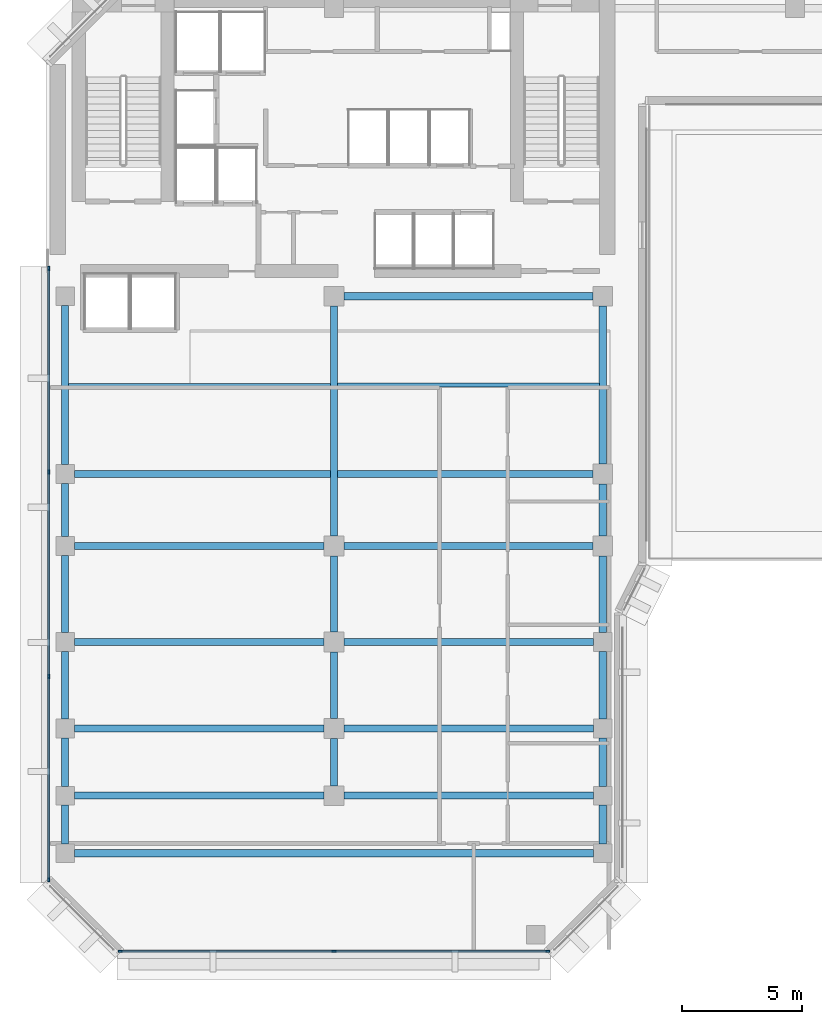
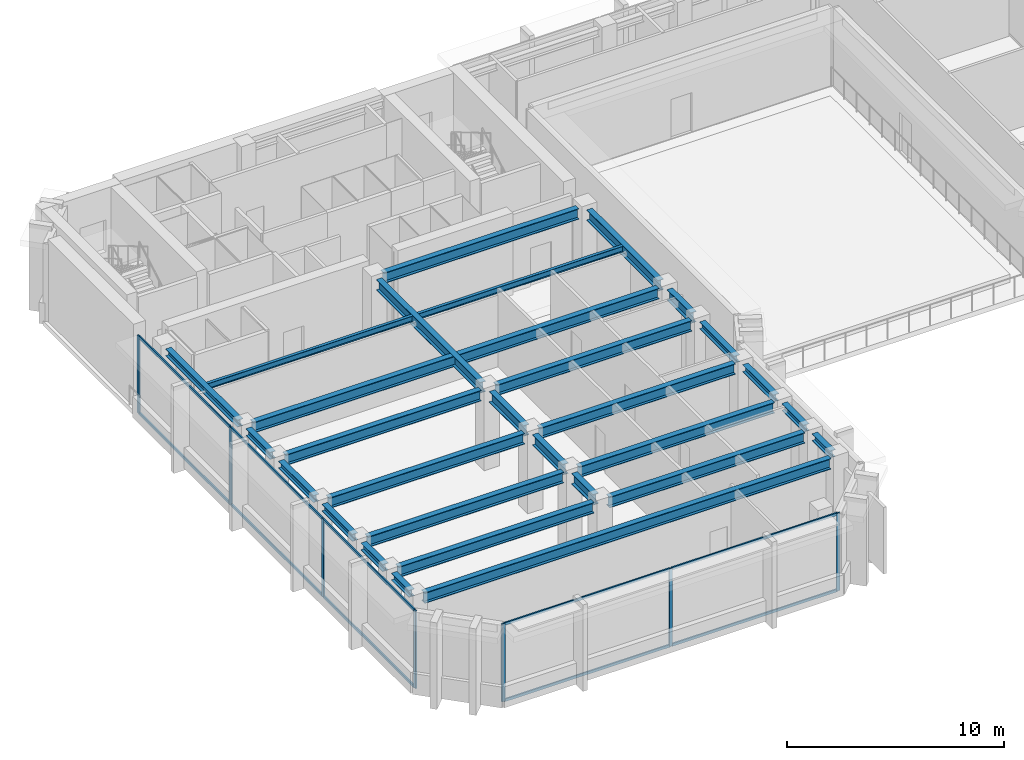
# One storey, part 2 of 12: 29 beams, 17 members, 2 elements without a shape of their own.
"""IFC4 building model written with IfcOpenShell, lengths in metres."""

from ifc_helpers import new_model, si_unit, direction, frame, origin, origin_2d, place, context, subcontext, project, spatial, rectangle, i_section, extrude, material, layer, layer_set, material_profile, profile_set, type_object, element, aggregate, save


model = new_model("IFC4")

# Units and contexts
model_context = context("Model", 3, precision=1e-05, world=origin(), true_north=direction((0.0, 1.0)))
body_context = subcontext(model_context, "Body", "Model", "MODEL_VIEW")
ifc_project = project(units=[si_unit("LENGTHUNIT", "METRE"), si_unit("AREAUNIT", "SQUARE_METRE"), si_unit("VOLUMEUNIT", "CUBIC_METRE"), si_unit("PLANEANGLEUNIT", "RADIAN"), si_unit("MASSUNIT", "GRAM", prefix="KILO")], contexts=[model_context])

# Site, building, storey
site_placement = place(None, origin())
site = spatial("IfcSite", under=ifc_project, at=site_placement, CompositionType="ELEMENT")
building_placement = place(site_placement, origin())
building = spatial("IfcBuilding", under=site, at=building_placement, Name="Kefirva Bronze Tower", CompositionType="ELEMENT")
storey_placement = place(building_placement, frame((0.0, 0.0, 215.159912109375)))
storey = spatial("IfcBuildingStorey", under=building, at=storey_placement, Name="L52", CompositionType="ELEMENT", Elevation=215.159912109375)

# Curtain wall, members
ifc_material_1 = material(Name="Bronze anodised aluminium", Category="aluminium")
ifc_layer = layer(ifc_material_1, 0.179931640625, Name="Bronze anodised aluminium")
ifc_layer_set = layer_set([ifc_layer], Name="Bronze anodised aluminium")
curtain_wall_type = type_object("IfcCurtainWallType", Name="Unitised Bronze Ribbon Curtain Wall Zone 3", PredefinedType="USERDEFINED", material=ifc_layer_set)
curtain_wall_1_placement = place(storey_placement, origin())
curtain_wall_1 = element("IfcCurtainWall", 1, at=curtain_wall_1_placement, inside=storey, type_object=curtain_wall_type, Name="L52 Curtain Wall 1", ObjectType="UNITISED CURTAIN WALL", PredefinedType="USERDEFINED")
ifc_material_profile_1 = material_profile(ifc_material_1, rectangle(XDim=0.074951171875, YDim=0.179931640625, at=origin_2d()), Name="ALU 75x180")
ifc_profile_set_1 = profile_set([ifc_material_profile_1], Name="Bronze anodised aluminium")
member_type_1 = type_object("IfcMemberType", Name="Bronze Mullion 75x180", PredefinedType="MULLION", material=ifc_profile_set_1)
member_1_placement = place(storey_placement, frame((3.092529296875, 5.919921875, 0.0), z_axis=(0.0, 0.0, 1.0), x_axis=(0.0, 1.0, 0.0)))
member_1 = element("IfcMember", 2, at=member_1_placement, type_object=member_type_1, Name="CW-03 mullion 1", PredefinedType="MULLION", context=body_context, shape_type="SweptSolid", body=[
    extrude(rectangle(XDim=0.074951171875, YDim=0.179931640625, at=origin_2d()), origin(), (0.0, 0.0, 1.0), 4.3701171875),
])
member_2_placement = place(storey_placement, frame((12.0, 5.919921875, 0.0), z_axis=(0.0, 0.0, 1.0), x_axis=(0.0, 1.0, 0.0)))
member_2 = element("IfcMember", 3, at=member_2_placement, type_object=member_type_1, Name="CW-03 mullion 2", PredefinedType="MULLION", context=body_context, shape_type="SweptSolid", body=[
    extrude(rectangle(XDim=0.074951171875, YDim=0.179931640625, at=origin_2d()), origin(), (0.0, 0.0, 1.0), 4.3701171875),
])
member_3_placement = place(storey_placement, frame((20.907470703125, 5.919921875, 0.0), z_axis=(0.0, 0.0, 1.0), x_axis=(0.0, 1.0, 0.0)))
member_3 = element("IfcMember", 4, at=member_3_placement, type_object=member_type_1, Name="CW-03 mullion 3", PredefinedType="MULLION", context=body_context, shape_type="SweptSolid", body=[
    extrude(rectangle(XDim=0.074951171875, YDim=0.179931640625, at=origin_2d()), origin(), (0.0, 0.0, 1.0), 4.3701171875),
])

curtain_wall_2_placement = place(storey_placement, origin())
curtain_wall_2 = element("IfcCurtainWall", 5, at=curtain_wall_2_placement, inside=storey, type_object=curtain_wall_type, Name="L52 Curtain Wall 4", ObjectType="UNITISED CURTAIN WALL", PredefinedType="USERDEFINED")
member_4_placement = place(storey_placement, frame((0.1201171875, 34.357421875, 0.0), z_axis=(0.0, 0.0, 1.0), x_axis=(1.0, 0.0, 0.0)))
member_4 = element("IfcMember", 6, at=member_4_placement, type_object=member_type_1, Name="CW-03 mullion 1", PredefinedType="MULLION", context=body_context, shape_type="SweptSolid", body=[
    extrude(rectangle(XDim=0.074951171875, YDim=0.179931640625, at=origin_2d()), origin(), (0.0, 0.0, 1.0), 4.3701171875),
])
member_5_placement = place(storey_placement, frame((0.1201171875, 25.881591796875, 0.0), z_axis=(0.0, 0.0, 1.0), x_axis=(1.0, 0.0, 0.0)))
member_5 = element("IfcMember", 7, at=member_5_placement, type_object=member_type_1, Name="CW-03 mullion 2", PredefinedType="MULLION", context=body_context, shape_type="SweptSolid", body=[
    extrude(rectangle(XDim=0.074951171875, YDim=0.179931640625, at=origin_2d()), origin(), (0.0, 0.0, 1.0), 4.3701171875),
])
member_6_placement = place(storey_placement, frame((0.1201171875, 17.368408203125, 0.0), z_axis=(0.0, 0.0, 1.0), x_axis=(1.0, 0.0, 0.0)))
member_6 = element("IfcMember", 8, at=member_6_placement, type_object=member_type_1, Name="CW-03 mullion 3", PredefinedType="MULLION", context=body_context, shape_type="SweptSolid", body=[
    extrude(rectangle(XDim=0.074951171875, YDim=0.179931640625, at=origin_2d()), origin(), (0.0, 0.0, 1.0), 4.3701171875),
])
member_7_placement = place(storey_placement, frame((0.1201171875, 8.892578125, 0.0), z_axis=(0.0, 0.0, 1.0), x_axis=(1.0, 0.0, 0.0)))
member_7 = element("IfcMember", 9, at=member_7_placement, type_object=member_type_1, Name="CW-03 mullion 4", PredefinedType="MULLION", context=body_context, shape_type="SweptSolid", body=[
    extrude(rectangle(XDim=0.074951171875, YDim=0.179931640625, at=origin_2d()), origin(), (0.0, 0.0, 1.0), 4.3701171875),
])

# Member
ifc_material_profile_2 = material_profile(ifc_material_1, rectangle(XDim=0.074951171875, YDim=0.14990234375, at=origin_2d()), Name="ALU 75x150")
ifc_profile_set_2 = profile_set([ifc_material_profile_2], Name="Bronze anodised aluminium")
member_type_2 = type_object("IfcMemberType", Name="Bronze Transom 75x150", PredefinedType="USERDEFINED", material=ifc_profile_set_2)
member_8_placement = place(storey_placement, frame((3.1298828125, 5.919921875, 0.03759765625), z_axis=(1.0, 0.0, 0.0), x_axis=(0.0, 1.0, 0.0)))
member_8 = element("IfcMember", 10, at=member_8_placement, type_object=member_type_2, Name="CW-03 transom 1.1", ObjectType="TRANSOM", PredefinedType="USERDEFINED", context=body_context, shape_type="SweptSolid", body=[
    extrude(rectangle(XDim=0.074951171875, YDim=0.14990234375, at=origin_2d()), origin(), (0.0, 0.0, 1.0), 8.83251953125),
])

member_9_placement = place(storey_placement, frame((3.1298828125, 5.919921875, 4.33251953125), z_axis=(1.0, 0.0, 0.0), x_axis=(0.0, 1.0, 0.0)))
member_9 = element("IfcMember", 11, at=member_9_placement, type_object=member_type_2, Name="CW-03 transom 1.2", ObjectType="TRANSOM", PredefinedType="USERDEFINED", context=body_context, shape_type="SweptSolid", body=[
    extrude(rectangle(XDim=0.074951171875, YDim=0.14990234375, at=origin_2d()), origin(), (0.0, 0.0, 1.0), 8.83251953125),
])

member_10_placement = place(storey_placement, frame((12.03759765625, 5.919921875, 0.03759765625), z_axis=(1.0, 0.0, 0.0), x_axis=(0.0, 1.0, 0.0)))
member_10 = element("IfcMember", 12, at=member_10_placement, type_object=member_type_2, Name="CW-03 transom 2.1", ObjectType="TRANSOM", PredefinedType="USERDEFINED", context=body_context, shape_type="SweptSolid", body=[
    extrude(rectangle(XDim=0.074951171875, YDim=0.14990234375, at=origin_2d()), origin(), (0.0, 0.0, 1.0), 8.83251953125),
])

member_11_placement = place(storey_placement, frame((12.03759765625, 5.919921875, 4.33251953125), z_axis=(1.0, 0.0, 0.0), x_axis=(0.0, 1.0, 0.0)))
member_11 = element("IfcMember", 13, at=member_11_placement, type_object=member_type_2, Name="CW-03 transom 2.2", ObjectType="TRANSOM", PredefinedType="USERDEFINED", context=body_context, shape_type="SweptSolid", body=[
    extrude(rectangle(XDim=0.074951171875, YDim=0.14990234375, at=origin_2d()), origin(), (0.0, 0.0, 1.0), 8.83251953125),
])

aggregate(curtain_wall_1, [member_1, member_2, member_3, member_8, member_9, member_10, member_11])

member_12_placement = place(storey_placement, frame((0.1201171875, 34.320068359375, 0.03759765625), z_axis=(0.0, -1.0, 0.0), x_axis=(1.0, 0.0, 0.0)))
member_12 = element("IfcMember", 14, at=member_12_placement, type_object=member_type_2, Name="CW-03 transom 1.1", ObjectType="TRANSOM", PredefinedType="USERDEFINED", context=body_context, shape_type="SweptSolid", body=[
    extrude(rectangle(XDim=0.074951171875, YDim=0.14990234375, at=origin_2d()), origin(), (0.0, 0.0, 1.0), 8.40087890625),
])

member_13_placement = place(storey_placement, frame((0.1201171875, 34.320068359375, 4.33251953125), z_axis=(0.0, -1.0, 0.0), x_axis=(1.0, 0.0, 0.0)))
member_13 = element("IfcMember", 15, at=member_13_placement, type_object=member_type_2, Name="CW-03 transom 1.2", ObjectType="TRANSOM", PredefinedType="USERDEFINED", context=body_context, shape_type="SweptSolid", body=[
    extrude(rectangle(XDim=0.074951171875, YDim=0.14990234375, at=origin_2d()), origin(), (0.0, 0.0, 1.0), 8.40087890625),
])

member_14_placement = place(storey_placement, frame((0.1201171875, 25.84423828125, 0.03759765625), z_axis=(0.0, -1.0, 0.0), x_axis=(1.0, 0.0, 0.0)))
member_14 = element("IfcMember", 16, at=member_14_placement, type_object=member_type_2, Name="CW-03 transom 2.1", ObjectType="TRANSOM", PredefinedType="USERDEFINED", context=body_context, shape_type="SweptSolid", body=[
    extrude(rectangle(XDim=0.074951171875, YDim=0.14990234375, at=origin_2d()), origin(), (0.0, 0.0, 1.0), 8.4384765625),
])

member_15_placement = place(storey_placement, frame((0.1201171875, 25.84423828125, 4.33251953125), z_axis=(0.0, -1.0, 0.0), x_axis=(1.0, 0.0, 0.0)))
member_15 = element("IfcMember", 17, at=member_15_placement, type_object=member_type_2, Name="CW-03 transom 2.2", ObjectType="TRANSOM", PredefinedType="USERDEFINED", context=body_context, shape_type="SweptSolid", body=[
    extrude(rectangle(XDim=0.074951171875, YDim=0.14990234375, at=origin_2d()), origin(), (0.0, 0.0, 1.0), 8.4384765625),
])

member_16_placement = place(storey_placement, frame((0.1201171875, 17.330810546875, 0.03759765625), z_axis=(0.0, -1.0, 0.0), x_axis=(1.0, 0.0, 0.0)))
member_16 = element("IfcMember", 18, at=member_16_placement, type_object=member_type_2, Name="CW-03 transom 3.1", ObjectType="TRANSOM", PredefinedType="USERDEFINED", context=body_context, shape_type="SweptSolid", body=[
    extrude(rectangle(XDim=0.074951171875, YDim=0.14990234375, at=origin_2d()), origin(), (0.0, 0.0, 1.0), 8.40087890625),
])

member_17_placement = place(storey_placement, frame((0.1201171875, 17.330810546875, 4.33251953125), z_axis=(0.0, -1.0, 0.0), x_axis=(1.0, 0.0, 0.0)))
member_17 = element("IfcMember", 19, at=member_17_placement, type_object=member_type_2, Name="CW-03 transom 3.2", ObjectType="TRANSOM", PredefinedType="USERDEFINED", context=body_context, shape_type="SweptSolid", body=[
    extrude(rectangle(XDim=0.074951171875, YDim=0.14990234375, at=origin_2d()), origin(), (0.0, 0.0, 1.0), 8.40087890625),
])

aggregate(curtain_wall_2, [member_4, member_5, member_6, member_7, member_12, member_13, member_14, member_15, member_16, member_17])

# Beams
ifc_material_2 = material(Name="Steel S355", Category="steel")
ifc_material_profile_3 = material_profile(ifc_material_2, i_section(OverallWidth=0.159912109375, OverallDepth=0.330078125, WebThickness=0.007568359375, FlangeThickness=0.011474609375, at=origin_2d()), Name="IPE 330")
ifc_profile_set_3 = profile_set([ifc_material_profile_3], Name="Steel S355")
beam_type_1 = type_object("IfcBeamType", Name="Steel Floor Joist IPE 330", PredefinedType="JOIST", material=ifc_profile_set_3)
for number, where, z_axis, x_axis, name in (
    (20, (0.949951171875, 29.489990234375, 4.205078125), (1.0, 0.0, 0.0), (0.0, 1.0, 0.0), "L52 JST-L52-0-294"),
    (21, (12.14990234375, 29.5, 4.205078125), (1.0, 0.0, 0.0), (0.0, 1.0, 0.0), "L52 JST-L52-12-295"),
):
    element("IfcBeam", number, at=place(storey_placement, frame(where, z_axis=z_axis, x_axis=x_axis)), inside=storey, type_object=beam_type_1, Name=name, PredefinedType="JOIST", context=body_context, shape_type="SweptSolid", body=[
        extrude(i_section(OverallWidth=0.159912109375, OverallDepth=0.330078125, WebThickness=0.007568359375, FlangeThickness=0.011474609375, at=origin_2d()), origin(), (0.0, 0.0, 1.0), 10.900146484375),
    ])
ifc_material_profile_4 = material_profile(ifc_material_2, i_section(OverallWidth=0.300048828125, OverallDepth=0.60009765625, WebThickness=0.015380859375, FlangeThickness=0.030029296875, at=origin_2d()), Name="HEB 600")
ifc_profile_set_4 = profile_set([ifc_material_profile_4], Name="Steel S355")
beam_type_2 = type_object("IfcBeamType", Name="Steel Girder HEB 600", PredefinedType="USERDEFINED", material=ifc_profile_set_4)
beam_1_placement = place(storey_placement, frame((1.18994140625, 10.0, 4.070068359375), z_axis=(1.0, 0.0, 0.0), x_axis=(0.0, 1.0, 0.0)))
element("IfcBeam", 22, at=beam_1_placement, inside=storey, type_object=beam_type_2, Name="L52 BM-L52-EW-0-100", ObjectType="GIRDER", PredefinedType="USERDEFINED", context=body_context, shape_type="SweptSolid", body=[
    extrude(i_section(OverallWidth=0.300048828125, OverallDepth=0.60009765625, WebThickness=0.015380859375, FlangeThickness=0.030029296875, at=origin_2d()), origin(), (0.0, 0.0, 1.0), 21.6201171875),
])
for number, where, z_axis, x_axis, name in (
    (23, (1.18994140625, 12.39990234375, 4.070068359375), (1.0, 0.0, 0.0), (0.0, 1.0, 0.0), "L52 BM-L52-EW-0-124"),
    (24, (12.409912109375, 12.39990234375, 4.070068359375), (1.0, 0.0, 0.0), (0.0, 1.0, 0.0), "L52 BM-L52-EW-12-124"),
    (25, (1.18994140625, 15.199951171875, 4.070068359375), (1.0, 0.0, 0.0), (0.0, 1.0, 0.0), "L52 BM-L52-EW-0-152"),
    (26, (12.409912109375, 15.199951171875, 4.070068359375), (1.0, 0.0, 0.0), (0.0, 1.0, 0.0), "L52 BM-L52-EW-12-152"),
    (27, (1.18994140625, 18.800048828125, 4.070068359375), (1.0, 0.0, 0.0), (0.0, 1.0, 0.0), "L52 BM-L52-EW-0-188"),
    (28, (12.409912109375, 18.800048828125, 4.070068359375), (1.0, 0.0, 0.0), (0.0, 1.0, 0.0), "L52 BM-L52-EW-12-188"),
    (29, (1.18994140625, 22.800048828125, 4.070068359375), (1.0, 0.0, 0.0), (0.0, 1.0, 0.0), "L52 BM-L52-EW-0-228"),
):
    element("IfcBeam", number, at=place(storey_placement, frame(where, z_axis=z_axis, x_axis=x_axis)), inside=storey, type_object=beam_type_2, Name=name, ObjectType="GIRDER", PredefinedType="USERDEFINED", context=body_context, shape_type="SweptSolid", body=[
        extrude(i_section(OverallWidth=0.300048828125, OverallDepth=0.60009765625, WebThickness=0.015380859375, FlangeThickness=0.030029296875, at=origin_2d()), origin(), (0.0, 0.0, 1.0), 10.400146484375),
    ])
beam_2_placement = place(storey_placement, frame((12.409912109375, 22.800048828125, 4.070068359375), z_axis=(1.0, 0.0, 0.0), x_axis=(0.0, 1.0, 0.0)))
element("IfcBeam", 30, at=beam_2_placement, inside=storey, type_object=beam_type_2, Name="L52 BM-L52-EW-12-228", ObjectType="GIRDER", PredefinedType="USERDEFINED", context=body_context, shape_type="SweptSolid", body=[
    extrude(i_section(OverallWidth=0.300048828125, OverallDepth=0.60009765625, WebThickness=0.015380859375, FlangeThickness=0.030029296875, at=origin_2d()), origin(), (0.0, 0.0, 1.0), 10.380126953125),
])
beam_3_placement = place(storey_placement, frame((1.18994140625, 25.800048828125, 4.070068359375), z_axis=(1.0, 0.0, 0.0), x_axis=(0.0, 1.0, 0.0)))
element("IfcBeam", 31, at=beam_3_placement, inside=storey, type_object=beam_type_2, Name="L52 BM-L52-EW-0-258", ObjectType="GIRDER", PredefinedType="USERDEFINED", context=body_context, shape_type="SweptSolid", body=[
    extrude(i_section(OverallWidth=0.300048828125, OverallDepth=0.60009765625, WebThickness=0.015380859375, FlangeThickness=0.030029296875, at=origin_2d()), origin(), (0.0, 0.0, 1.0), 21.60009765625),
])
beam_4_placement = place(storey_placement, frame((12.409912109375, 33.199951171875, 4.070068359375), z_axis=(1.0, 0.0, 0.0), x_axis=(0.0, 1.0, 0.0)))
element("IfcBeam", 32, at=beam_4_placement, inside=storey, type_object=beam_type_2, Name="L52 BM-L52-EW-12-332", ObjectType="GIRDER", PredefinedType="USERDEFINED", context=body_context, shape_type="SweptSolid", body=[
    extrude(i_section(OverallWidth=0.300048828125, OverallDepth=0.60009765625, WebThickness=0.015380859375, FlangeThickness=0.030029296875, at=origin_2d()), origin(), (0.0, 0.0, 1.0), 10.380126953125),
])
beam_5_placement = place(storey_placement, frame((12.0, 12.81005859375, 4.070068359375), z_axis=(0.0, 1.0, 0.0), x_axis=(-1.0, 0.0, 0.0)))
element("IfcBeam", 33, at=beam_5_placement, inside=storey, type_object=beam_type_2, Name="L52 BM-L52-NS-120-12", ObjectType="GIRDER", PredefinedType="USERDEFINED", context=body_context, shape_type="SweptSolid", body=[
    extrude(i_section(OverallWidth=0.300048828125, OverallDepth=0.60009765625, WebThickness=0.015380859375, FlangeThickness=0.030029296875, at=origin_2d()), origin(), (0.0, 0.0, 1.0), 1.97998046875),
])
beam_6_placement = place(storey_placement, frame((12.0, 15.610107421875, 4.070068359375), z_axis=(0.0, 1.0, 0.0), x_axis=(-1.0, 0.0, 0.0)))
element("IfcBeam", 34, at=beam_6_placement, inside=storey, type_object=beam_type_2, Name="L52 BM-L52-NS-120-15", ObjectType="GIRDER", PredefinedType="USERDEFINED", context=body_context, shape_type="SweptSolid", body=[
    extrude(i_section(OverallWidth=0.300048828125, OverallDepth=0.60009765625, WebThickness=0.015380859375, FlangeThickness=0.030029296875, at=origin_2d()), origin(), (0.0, 0.0, 1.0), 2.77978515625),
])
beam_7_placement = place(storey_placement, frame((12.0, 19.2099609375, 4.070068359375), z_axis=(0.0, 1.0, 0.0), x_axis=(-1.0, 0.0, 0.0)))
element("IfcBeam", 35, at=beam_7_placement, inside=storey, type_object=beam_type_2, Name="L52 BM-L52-NS-120-18", ObjectType="GIRDER", PredefinedType="USERDEFINED", context=body_context, shape_type="SweptSolid", body=[
    extrude(i_section(OverallWidth=0.300048828125, OverallDepth=0.60009765625, WebThickness=0.015380859375, FlangeThickness=0.030029296875, at=origin_2d()), origin(), (0.0, 0.0, 1.0), 3.179931640625),
])
beam_8_placement = place(storey_placement, frame((12.0, 23.2099609375, 4.070068359375), z_axis=(0.0, 1.0, 0.0), x_axis=(-1.0, 0.0, 0.0)))
element("IfcBeam", 36, at=beam_8_placement, inside=storey, type_object=beam_type_2, Name="L52 BM-L52-NS-120-22", ObjectType="GIRDER", PredefinedType="USERDEFINED", context=body_context, shape_type="SweptSolid", body=[
    extrude(i_section(OverallWidth=0.300048828125, OverallDepth=0.60009765625, WebThickness=0.015380859375, FlangeThickness=0.030029296875, at=origin_2d()), origin(), (0.0, 0.0, 1.0), 9.580078125),
])
beam_9_placement = place(storey_placement, frame((23.199951171875, 23.2099609375, 4.070068359375), z_axis=(0.0, 1.0, 0.0), x_axis=(-1.0, 0.0, 0.0)))
element("IfcBeam", 37, at=beam_9_placement, inside=storey, type_object=beam_type_2, Name="L52 BM-L52-NS-232-22", ObjectType="GIRDER", PredefinedType="USERDEFINED", context=body_context, shape_type="SweptSolid", body=[
    extrude(i_section(OverallWidth=0.300048828125, OverallDepth=0.60009765625, WebThickness=0.015380859375, FlangeThickness=0.030029296875, at=origin_2d()), origin(), (0.0, 0.0, 1.0), 2.179931640625),
])
beam_10_placement = place(storey_placement, frame((23.199951171875, 26.2099609375, 4.070068359375), z_axis=(0.0, 1.0, 0.0), x_axis=(-1.0, 0.0, 0.0)))
element("IfcBeam", 38, at=beam_10_placement, inside=storey, type_object=beam_type_2, Name="L52 BM-L52-NS-232-25", ObjectType="GIRDER", PredefinedType="USERDEFINED", context=body_context, shape_type="SweptSolid", body=[
    extrude(i_section(OverallWidth=0.300048828125, OverallDepth=0.60009765625, WebThickness=0.015380859375, FlangeThickness=0.030029296875, at=origin_2d()), origin(), (0.0, 0.0, 1.0), 6.580078125),
])
ifc_material_profile_5 = material_profile(ifc_material_2, i_section(OverallWidth=0.300048828125, OverallDepth=0.39990234375, WebThickness=0.013427734375, FlangeThickness=0.02392578125, at=origin_2d()), Name="HEB 400")
ifc_profile_set_5 = profile_set([ifc_material_profile_5], Name="Steel S355")
beam_type_3 = type_object("IfcBeamType", Name="Steel Spandrel HEB 400 Ext", PredefinedType="SPANDREL", material=ifc_profile_set_5)
beam_11_placement = place(storey_placement, frame((0.800048828125, 10.389892578125, 4.170166015625), z_axis=(0.0, 1.0, 0.0), x_axis=(-1.0, 0.0, 0.0)))
element("IfcBeam", 39, at=beam_11_placement, inside=storey, type_object=beam_type_3, Name="L52 BM-L52-NS-8-10", PredefinedType="SPANDREL", context=body_context, shape_type="SweptSolid", body=[
    extrude(i_section(OverallWidth=0.300048828125, OverallDepth=0.39990234375, WebThickness=0.013427734375, FlangeThickness=0.02392578125, at=origin_2d()), origin(), (0.0, 0.0, 1.0), 1.6201171875),
])
beam_12_placement = place(storey_placement, frame((0.800048828125, 12.7900390625, 4.170166015625), z_axis=(0.0, 1.0, 0.0), x_axis=(-1.0, 0.0, 0.0)))
element("IfcBeam", 40, at=beam_12_placement, inside=storey, type_object=beam_type_3, Name="L52 BM-L52-NS-8-12", PredefinedType="SPANDREL", context=body_context, shape_type="SweptSolid", body=[
    extrude(i_section(OverallWidth=0.300048828125, OverallDepth=0.39990234375, WebThickness=0.013427734375, FlangeThickness=0.02392578125, at=origin_2d()), origin(), (0.0, 0.0, 1.0), 2.02001953125),
])
beam_13_placement = place(storey_placement, frame((0.800048828125, 15.590087890625, 4.170166015625), z_axis=(0.0, 1.0, 0.0), x_axis=(-1.0, 0.0, 0.0)))
element("IfcBeam", 41, at=beam_13_placement, inside=storey, type_object=beam_type_3, Name="L52 BM-L52-NS-8-15", PredefinedType="SPANDREL", context=body_context, shape_type="SweptSolid", body=[
    extrude(i_section(OverallWidth=0.300048828125, OverallDepth=0.39990234375, WebThickness=0.013427734375, FlangeThickness=0.02392578125, at=origin_2d()), origin(), (0.0, 0.0, 1.0), 2.81982421875),
])
beam_14_placement = place(storey_placement, frame((0.800048828125, 19.18994140625, 4.170166015625), z_axis=(0.0, 1.0, 0.0), x_axis=(-1.0, 0.0, 0.0)))
element("IfcBeam", 42, at=beam_14_placement, inside=storey, type_object=beam_type_3, Name="L52 BM-L52-NS-8-18", PredefinedType="SPANDREL", context=body_context, shape_type="SweptSolid", body=[
    extrude(i_section(OverallWidth=0.300048828125, OverallDepth=0.39990234375, WebThickness=0.013427734375, FlangeThickness=0.02392578125, at=origin_2d()), origin(), (0.0, 0.0, 1.0), 3.219970703125),
])
beam_15_placement = place(storey_placement, frame((0.800048828125, 23.18994140625, 4.170166015625), z_axis=(0.0, 1.0, 0.0), x_axis=(-1.0, 0.0, 0.0)))
element("IfcBeam", 43, at=beam_15_placement, inside=storey, type_object=beam_type_3, Name="L52 BM-L52-NS-8-22", PredefinedType="SPANDREL", context=body_context, shape_type="SweptSolid", body=[
    extrude(i_section(OverallWidth=0.300048828125, OverallDepth=0.39990234375, WebThickness=0.013427734375, FlangeThickness=0.02392578125, at=origin_2d()), origin(), (0.0, 0.0, 1.0), 2.219970703125),
])
beam_16_placement = place(storey_placement, frame((0.800048828125, 26.18994140625, 4.170166015625), z_axis=(0.0, 1.0, 0.0), x_axis=(-1.0, 0.0, 0.0)))
element("IfcBeam", 44, at=beam_16_placement, inside=storey, type_object=beam_type_3, Name="L52 BM-L52-NS-8-25", PredefinedType="SPANDREL", context=body_context, shape_type="SweptSolid", body=[
    extrude(i_section(OverallWidth=0.300048828125, OverallDepth=0.39990234375, WebThickness=0.013427734375, FlangeThickness=0.02392578125, at=origin_2d()), origin(), (0.0, 0.0, 1.0), 6.6201171875),
])
beam_17_placement = place(storey_placement, frame((23.199951171875, 10.389892578125, 4.170166015625), z_axis=(0.0, 1.0, 0.0), x_axis=(-1.0, 0.0, 0.0)))
element("IfcBeam", 45, at=beam_17_placement, inside=storey, type_object=beam_type_3, Name="L52 BM-L52-NS-232-10", PredefinedType="SPANDREL", context=body_context, shape_type="SweptSolid", body=[
    extrude(i_section(OverallWidth=0.300048828125, OverallDepth=0.39990234375, WebThickness=0.013427734375, FlangeThickness=0.02392578125, at=origin_2d()), origin(), (0.0, 0.0, 1.0), 1.6201171875),
])
beam_18_placement = place(storey_placement, frame((23.199951171875, 12.7900390625, 4.170166015625), z_axis=(0.0, 1.0, 0.0), x_axis=(-1.0, 0.0, 0.0)))
element("IfcBeam", 46, at=beam_18_placement, inside=storey, type_object=beam_type_3, Name="L52 BM-L52-NS-232-12", PredefinedType="SPANDREL", context=body_context, shape_type="SweptSolid", body=[
    extrude(i_section(OverallWidth=0.300048828125, OverallDepth=0.39990234375, WebThickness=0.013427734375, FlangeThickness=0.02392578125, at=origin_2d()), origin(), (0.0, 0.0, 1.0), 2.02001953125),
])
beam_19_placement = place(storey_placement, frame((23.199951171875, 15.590087890625, 4.170166015625), z_axis=(0.0, 1.0, 0.0), x_axis=(-1.0, 0.0, 0.0)))
element("IfcBeam", 47, at=beam_19_placement, inside=storey, type_object=beam_type_3, Name="L52 BM-L52-NS-232-15", PredefinedType="SPANDREL", context=body_context, shape_type="SweptSolid", body=[
    extrude(i_section(OverallWidth=0.300048828125, OverallDepth=0.39990234375, WebThickness=0.013427734375, FlangeThickness=0.02392578125, at=origin_2d()), origin(), (0.0, 0.0, 1.0), 2.81982421875),
])
beam_20_placement = place(storey_placement, frame((23.199951171875, 19.18994140625, 4.170166015625), z_axis=(0.0, 1.0, 0.0), x_axis=(-1.0, 0.0, 0.0)))
element("IfcBeam", 48, at=beam_20_placement, inside=storey, type_object=beam_type_3, Name="L52 BM-L52-NS-232-18", PredefinedType="SPANDREL", context=body_context, shape_type="SweptSolid", body=[
    extrude(i_section(OverallWidth=0.300048828125, OverallDepth=0.39990234375, WebThickness=0.013427734375, FlangeThickness=0.02392578125, at=origin_2d()), origin(), (0.0, 0.0, 1.0), 3.199951171875),
])

save(model, "model.ifc")
